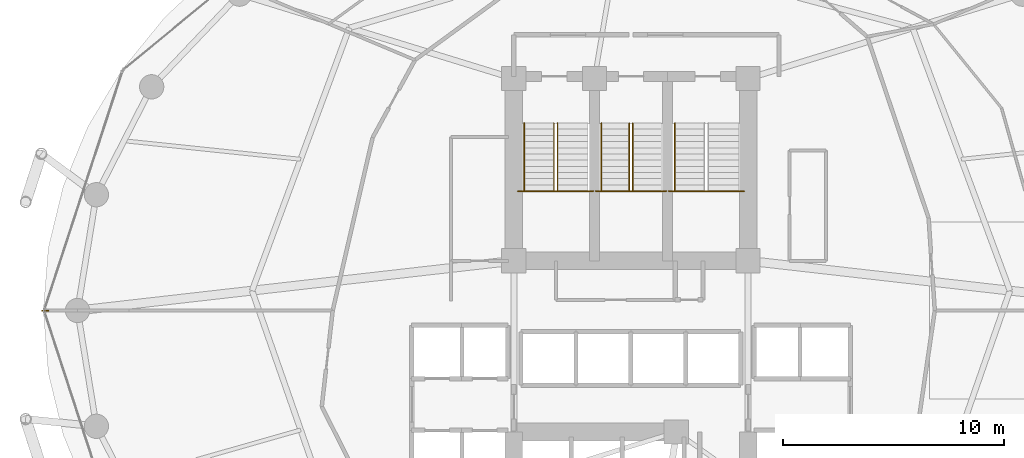
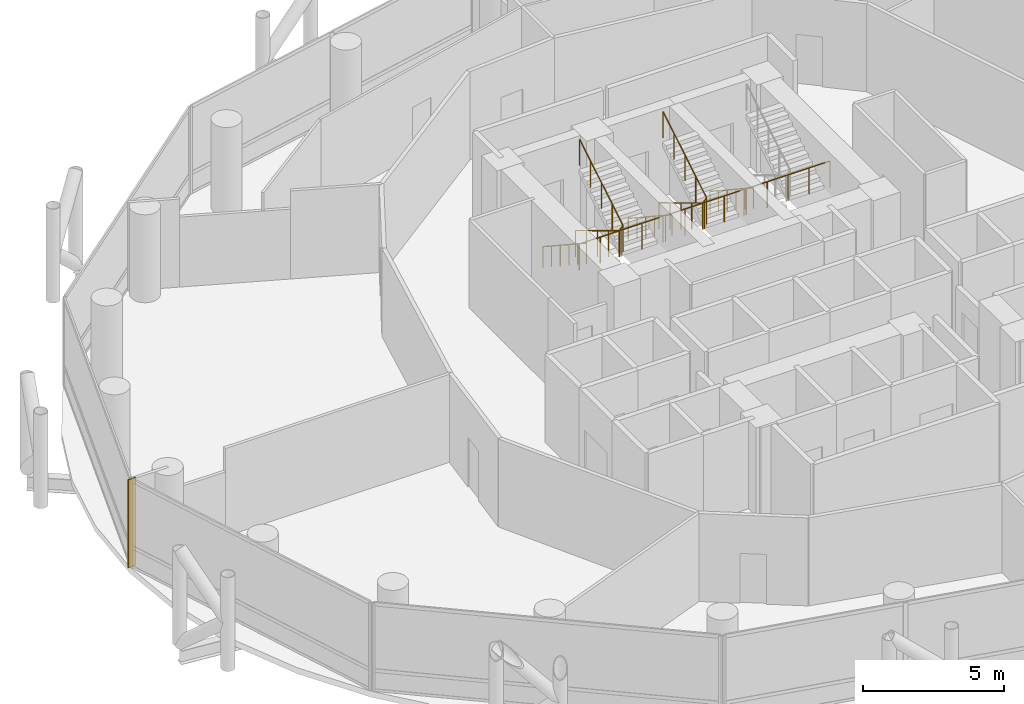
# One storey, part 25 of 26: 8 railings, 1 shading device.
"""IFC4 building model written with IfcOpenShell, lengths in metres."""

from ifc_helpers import new_model, si_unit, direction, frame, origin, origin_2d, place, context, subcontext, project, spatial, polyline, rectangle, outline, extrude, material, layer, layer_set, type_object, element, save


model = new_model("IFC4")

# Units and contexts
model_context = context("Model", 3, precision=1e-05, world=origin(), true_north=direction((0.0, 1.0)))
body_context = subcontext(model_context, "Body", "Model", "MODEL_VIEW")
ifc_project = project(units=[si_unit("LENGTHUNIT", "METRE"), si_unit("AREAUNIT", "SQUARE_METRE"), si_unit("VOLUMEUNIT", "CUBIC_METRE"), si_unit("PLANEANGLEUNIT", "RADIAN"), si_unit("MASSUNIT", "GRAM", prefix="KILO")], contexts=[model_context])

# Site, building, storey
site_placement = place(None, origin())
site = spatial("IfcSite", under=ifc_project, at=site_placement, CompositionType="ELEMENT")
building_placement = place(site_placement, origin())
building = spatial("IfcBuilding", under=site, at=building_placement, Name="Nuhasar Tower", CompositionType="ELEMENT")
storey_placement = place(building_placement, frame((0.0, 0.0, 53.39990234375)))
storey = spatial("IfcBuildingStorey", under=building, at=storey_placement, Name="L12", CompositionType="ELEMENT", Elevation=53.39990234375)

# Railings
ifc_material_1 = material(Name="Steel S355", Category="steel")
railing_type_1 = type_object("IfcRailingType", Name="RLG-STAIR-GUARD-1150", PredefinedType="GUARDRAIL", material=ifc_material_1)
railing_1_placement = place(storey_placement, frame((33.8798828125, 32.205078125, 2.025146484375)))
element("IfcRailing", 1, at=railing_1_placement, inside=storey, type_object=railing_type_1, Name="L12 Stair ST-01 Guardrail LND", PredefinedType="GUARDRAIL", context=body_context, shape_type="SweptSolid", body=[
    extrude(outline(polyline([(0.024169921875, 0.0), (0.01708984375, 0.01708984375), (0.0, 0.024169921875), (-0.01708984375, 0.01708984375), (-0.024169921875, 0.0), (-0.01708984375, -0.01708984375), (0.0, -0.024169921875), (0.01708984375, -0.01708984375), (0.024169921875, 0.0)])), frame((0.0, 0.0, 1.1259765625), z_axis=(1.0, 0.0, 0.0), x_axis=(0.0, 1.0, 0.0)), (0.0, 0.0, 1.0), 3.420166015625),
    extrude(outline(polyline([(0.02099609375, 0.0), (0.014892578125, 0.014892578125), (0.0, 0.02099609375), (-0.014892578125, 0.014892578125), (-0.02099609375, 0.0), (-0.014892578125, -0.014892578125), (0.0, -0.02099609375), (0.014892578125, -0.014892578125), (0.02099609375, 0.0)])), origin(), (0.0, 0.0, 1.0), 1.101806640625),
    extrude(outline(polyline([(0.02099609375, 0.0), (0.014892578125, 0.014892578125), (0.0, 0.02099609375), (-0.014892578125, 0.014892578125), (-0.02099609375, 0.0), (-0.014892578125, -0.014892578125), (0.0, -0.02099609375), (0.014892578125, -0.014892578125), (0.02099609375, 0.0)])), frame((0.85498046875, 0.0, 0.0)), (0.0, 0.0, 1.0), 1.101806640625),
    extrude(outline(polyline([(0.02099609375, 0.0), (0.014892578125, 0.014892578125), (0.0, 0.02099609375), (-0.014892578125, 0.014892578125), (-0.02099609375, 0.0), (-0.014892578125, -0.014892578125), (0.0, -0.02099609375), (0.014892578125, -0.014892578125), (0.02099609375, 0.0)])), frame((1.7099609375, 0.0, 0.0)), (0.0, 0.0, 1.0), 1.101806640625),
    extrude(outline(polyline([(0.02099609375, 0.0), (0.014892578125, 0.014892578125), (0.0, 0.02099609375), (-0.014892578125, 0.014892578125), (-0.02099609375, 0.0), (-0.014892578125, -0.014892578125), (0.0, -0.02099609375), (0.014892578125, -0.014892578125), (0.02099609375, 0.0)])), frame((2.565185546875, 0.0, 0.0)), (0.0, 0.0, 1.0), 1.101806640625),
    extrude(outline(polyline([(0.02099609375, 0.0), (0.014892578125, 0.014892578125), (0.0, 0.02099609375), (-0.014892578125, 0.014892578125), (-0.02099609375, 0.0), (-0.014892578125, -0.014892578125), (0.0, -0.02099609375), (0.014892578125, -0.014892578125), (0.02099609375, 0.0)])), frame((3.420166015625, 0.0, 0.0)), (0.0, 0.0, 1.0), 1.101806640625),
])
railing_2_placement = place(storey_placement, frame((35.510009765625, 35.284912109375, 0.169189453125)))
element("IfcRailing", 2, at=railing_2_placement, inside=storey, type_object=railing_type_1, Name="L12 Stair ST-01 Guardrail SLT", PredefinedType="GUARDRAIL", context=body_context, shape_type="SweptSolid", body=[
    extrude(outline(polyline([(0.024169921875, 0.0), (0.01708984375, 0.01708984375), (0.0, 0.024169921875), (-0.01708984375, 0.01708984375), (-0.024169921875, 0.0), (-0.01708984375, -0.01708984375), (0.0, -0.024169921875), (0.01708984375, -0.01708984375), (0.024169921875, 0.0)])), frame((0.0, 0.0, 1.1259765625), z_axis=(0.0, -0.856502863198, 0.516142272377), x_axis=(1.0, 0.0, 0.0)), (0.0, 0.0, 1.0), 3.595703125),
    extrude(outline(polyline([(0.024169921875, 0.0), (0.01708984375, 0.01708984375), (0.0, 0.024169921875), (-0.01708984375, 0.01708984375), (-0.024169921875, 0.0), (-0.01708984375, -0.01708984375), (0.0, -0.024169921875), (0.01708984375, -0.01708984375), (0.024169921875, 0.0)])), frame((0.0, -3.079833984375, 2.98193359375), z_axis=(0.687424367727, 0.0, 0.726255973232), x_axis=(0.0, 1.0, 0.0)), (0.0, 0.0, 1.0), 0.232666015625),
    extrude(outline(polyline([(0.024169921875, 0.0), (0.01708984375, 0.01708984375), (0.0, 0.024169921875), (-0.01708984375, 0.01708984375), (-0.024169921875, 0.0), (-0.01708984375, -0.01708984375), (0.0, -0.024169921875), (0.01708984375, -0.01708984375), (0.024169921875, 0.0)])), frame((0.159912109375, -3.079833984375, 3.15087890625), z_axis=(0.0, 0.856502863198, 0.516142272377), x_axis=(-1.0, 0.0, 0.0)), (0.0, 0.0, 1.0), 3.595703125),
    extrude(outline(polyline([(0.02099609375, 0.0), (0.014892578125, 0.014892578125), (0.0, 0.02099609375), (-0.014892578125, 0.014892578125), (-0.02099609375, 0.0), (-0.014892578125, -0.014892578125), (0.0, -0.02099609375), (0.014892578125, -0.014892578125), (0.02099609375, 0.0)])), origin(), (0.0, 0.0, 1.0), 1.101806640625),
    extrude(outline(polyline([(0.02099609375, 0.0), (0.014892578125, 0.014892578125), (0.0, 0.02099609375), (-0.014892578125, 0.014892578125), (-0.02099609375, 0.0), (-0.014892578125, -0.014892578125), (0.0, -0.02099609375), (0.014892578125, -0.014892578125), (0.02099609375, 0.0)])), frame((0.0, -0.77001953125, 0.4638671875)), (0.0, 0.0, 1.0), 1.101806640625),
    extrude(outline(polyline([(0.02099609375, 0.0), (0.014892578125, 0.014892578125), (0.0, 0.02099609375), (-0.014892578125, 0.014892578125), (-0.02099609375, 0.0), (-0.014892578125, -0.014892578125), (0.0, -0.02099609375), (0.014892578125, -0.014892578125), (0.02099609375, 0.0)])), frame((0.0, -1.5400390625, 0.927978515625)), (0.0, 0.0, 1.0), 1.101806640625),
    extrude(outline(polyline([(0.02099609375, 0.0), (0.014892578125, 0.014892578125), (0.0, 0.02099609375), (-0.014892578125, 0.014892578125), (-0.02099609375, 0.0), (-0.014892578125, -0.014892578125), (0.0, -0.02099609375), (0.014892578125, -0.014892578125), (0.02099609375, 0.0)])), frame((0.0, -2.309814453125, 1.39208984375)), (0.0, 0.0, 1.0), 1.101806640625),
    extrude(outline(polyline([(0.02099609375, 0.0), (0.014892578125, 0.014892578125), (0.0, 0.02099609375), (-0.014892578125, 0.014892578125), (-0.02099609375, 0.0), (-0.014892578125, -0.014892578125), (0.0, -0.02099609375), (0.014892578125, -0.014892578125), (0.02099609375, 0.0)])), frame((0.0, -3.079833984375, 1.85595703125)), (0.0, 0.0, 1.0), 1.101806640625),
    extrude(outline(polyline([(0.02099609375, 0.0), (0.014892578125, 0.014892578125), (0.0, 0.02099609375), (-0.014892578125, 0.014892578125), (-0.02099609375, 0.0), (-0.014892578125, -0.014892578125), (0.0, -0.02099609375), (0.014892578125, -0.014892578125), (0.02099609375, 0.0)])), frame((0.159912109375, -3.079833984375, 2.02490234375)), (0.0, 0.0, 1.0), 1.101806640625),
    extrude(outline(polyline([(0.02099609375, 0.0), (0.014892578125, 0.014892578125), (0.0, 0.02099609375), (-0.014892578125, 0.014892578125), (-0.02099609375, 0.0), (-0.014892578125, -0.014892578125), (0.0, -0.02099609375), (0.014892578125, -0.014892578125), (0.02099609375, 0.0)])), frame((0.159912109375, -2.309814453125, 2.48876953125)), (0.0, 0.0, 1.0), 1.101806640625),
    extrude(outline(polyline([(0.02099609375, 0.0), (0.014892578125, 0.014892578125), (0.0, 0.02099609375), (-0.014892578125, 0.014892578125), (-0.02099609375, 0.0), (-0.014892578125, -0.014892578125), (0.0, -0.02099609375), (0.014892578125, -0.014892578125), (0.02099609375, 0.0)])), frame((0.159912109375, -1.5400390625, 2.952880859375)), (0.0, 0.0, 1.0), 1.101806640625),
    extrude(outline(polyline([(0.02099609375, 0.0), (0.014892578125, 0.014892578125), (0.0, 0.02099609375), (-0.014892578125, 0.014892578125), (-0.02099609375, 0.0), (-0.014892578125, -0.014892578125), (0.0, -0.02099609375), (0.014892578125, -0.014892578125), (0.02099609375, 0.0)])), frame((0.159912109375, -0.77001953125, 3.4169921875)), (0.0, 0.0, 1.0), 1.101806640625),
    extrude(outline(polyline([(0.02099609375, 0.0), (0.014892578125, 0.014892578125), (0.0, 0.02099609375), (-0.014892578125, 0.014892578125), (-0.02099609375, 0.0), (-0.014892578125, -0.014892578125), (0.0, -0.02099609375), (0.014892578125, -0.014892578125), (0.02099609375, 0.0)])), frame((0.159912109375, 0.0, 3.880859375)), (0.0, 0.0, 1.0), 1.101806640625),
])
railing_3_placement = place(storey_placement, frame((37.39990234375, 32.205078125, 2.025146484375)))
element("IfcRailing", 3, at=railing_3_placement, inside=storey, type_object=railing_type_1, Name="L12 Stair ST-03 Guardrail LND", PredefinedType="GUARDRAIL", context=body_context, shape_type="SweptSolid", body=[
    extrude(outline(polyline([(0.024169921875, 0.0), (0.01708984375, 0.01708984375), (0.0, 0.024169921875), (-0.01708984375, 0.01708984375), (-0.024169921875, 0.0), (-0.01708984375, -0.01708984375), (0.0, -0.024169921875), (0.01708984375, -0.01708984375), (0.024169921875, 0.0)])), frame((0.0, 0.0, 1.1259765625), z_axis=(1.0, 0.0, 0.0), x_axis=(0.0, 1.0, 0.0)), (0.0, 0.0, 1.0), 3.2001953125),
    extrude(outline(polyline([(0.02099609375, 0.0), (0.014892578125, 0.014892578125), (0.0, 0.02099609375), (-0.014892578125, 0.014892578125), (-0.02099609375, 0.0), (-0.014892578125, -0.014892578125), (0.0, -0.02099609375), (0.014892578125, -0.014892578125), (0.02099609375, 0.0)])), origin(), (0.0, 0.0, 1.0), 1.101806640625),
    extrude(outline(polyline([(0.02099609375, 0.0), (0.014892578125, 0.014892578125), (0.0, 0.02099609375), (-0.014892578125, 0.014892578125), (-0.02099609375, 0.0), (-0.014892578125, -0.014892578125), (0.0, -0.02099609375), (0.014892578125, -0.014892578125), (0.02099609375, 0.0)])), frame((0.800048828125, 0.0, 0.0)), (0.0, 0.0, 1.0), 1.101806640625),
    extrude(outline(polyline([(0.02099609375, 0.0), (0.014892578125, 0.014892578125), (0.0, 0.02099609375), (-0.014892578125, 0.014892578125), (-0.02099609375, 0.0), (-0.014892578125, -0.014892578125), (0.0, -0.02099609375), (0.014892578125, -0.014892578125), (0.02099609375, 0.0)])), frame((1.60009765625, 0.0, 0.0)), (0.0, 0.0, 1.0), 1.101806640625),
    extrude(outline(polyline([(0.02099609375, 0.0), (0.014892578125, 0.014892578125), (0.0, 0.02099609375), (-0.014892578125, 0.014892578125), (-0.02099609375, 0.0), (-0.014892578125, -0.014892578125), (0.0, -0.02099609375), (0.014892578125, -0.014892578125), (0.02099609375, 0.0)])), frame((2.400146484375, 0.0, 0.0)), (0.0, 0.0, 1.0), 1.101806640625),
    extrude(outline(polyline([(0.02099609375, 0.0), (0.014892578125, 0.014892578125), (0.0, 0.02099609375), (-0.014892578125, 0.014892578125), (-0.02099609375, 0.0), (-0.014892578125, -0.014892578125), (0.0, -0.02099609375), (0.014892578125, -0.014892578125), (0.02099609375, 0.0)])), frame((3.2001953125, 0.0, 0.0)), (0.0, 0.0, 1.0), 1.101806640625),
])
railing_4_placement = place(storey_placement, frame((38.919921875, 35.284912109375, 0.169189453125)))
element("IfcRailing", 4, at=railing_4_placement, inside=storey, type_object=railing_type_1, Name="L12 Stair ST-03 Guardrail SLT", PredefinedType="GUARDRAIL", context=body_context, shape_type="SweptSolid", body=[
    extrude(outline(polyline([(0.024169921875, 0.0), (0.01708984375, 0.01708984375), (0.0, 0.024169921875), (-0.01708984375, 0.01708984375), (-0.024169921875, 0.0), (-0.01708984375, -0.01708984375), (0.0, -0.024169921875), (0.01708984375, -0.01708984375), (0.024169921875, 0.0)])), frame((0.0, 0.0, 1.1259765625), z_axis=(0.0, -0.856502863198, 0.516142272377), x_axis=(1.0, 0.0, 0.0)), (0.0, 0.0, 1.0), 3.595703125),
    extrude(outline(polyline([(0.024169921875, 0.0), (0.01708984375, 0.01708984375), (0.0, 0.024169921875), (-0.01708984375, 0.01708984375), (-0.024169921875, 0.0), (-0.01708984375, -0.01708984375), (0.0, -0.024169921875), (0.01708984375, -0.01708984375), (0.024169921875, 0.0)])), frame((0.0, -3.079833984375, 2.98193359375), z_axis=(0.687977326998, 0.0, 0.725732180309), x_axis=(0.0, 1.0, 0.0)), (0.0, 0.0, 1.0), 0.23291015625),
    extrude(outline(polyline([(0.024169921875, 0.0), (0.01708984375, 0.01708984375), (0.0, 0.024169921875), (-0.01708984375, 0.01708984375), (-0.024169921875, 0.0), (-0.01708984375, -0.01708984375), (0.0, -0.024169921875), (0.01708984375, -0.01708984375), (0.024169921875, 0.0)])), frame((0.16015625, -3.079833984375, 3.15087890625), z_axis=(0.0, 0.856502863198, 0.516142272377), x_axis=(-1.0, 0.0, 0.0)), (0.0, 0.0, 1.0), 3.595703125),
    extrude(outline(polyline([(0.02099609375, 0.0), (0.014892578125, 0.014892578125), (0.0, 0.02099609375), (-0.014892578125, 0.014892578125), (-0.02099609375, 0.0), (-0.014892578125, -0.014892578125), (0.0, -0.02099609375), (0.014892578125, -0.014892578125), (0.02099609375, 0.0)])), origin(), (0.0, 0.0, 1.0), 1.101806640625),
    extrude(outline(polyline([(0.02099609375, 0.0), (0.014892578125, 0.014892578125), (0.0, 0.02099609375), (-0.014892578125, 0.014892578125), (-0.02099609375, 0.0), (-0.014892578125, -0.014892578125), (0.0, -0.02099609375), (0.014892578125, -0.014892578125), (0.02099609375, 0.0)])), frame((0.0, -0.77001953125, 0.4638671875)), (0.0, 0.0, 1.0), 1.101806640625),
    extrude(outline(polyline([(0.02099609375, 0.0), (0.014892578125, 0.014892578125), (0.0, 0.02099609375), (-0.014892578125, 0.014892578125), (-0.02099609375, 0.0), (-0.014892578125, -0.014892578125), (0.0, -0.02099609375), (0.014892578125, -0.014892578125), (0.02099609375, 0.0)])), frame((0.0, -1.5400390625, 0.927978515625)), (0.0, 0.0, 1.0), 1.101806640625),
    extrude(outline(polyline([(0.02099609375, 0.0), (0.014892578125, 0.014892578125), (0.0, 0.02099609375), (-0.014892578125, 0.014892578125), (-0.02099609375, 0.0), (-0.014892578125, -0.014892578125), (0.0, -0.02099609375), (0.014892578125, -0.014892578125), (0.02099609375, 0.0)])), frame((0.0, -2.309814453125, 1.39208984375)), (0.0, 0.0, 1.0), 1.101806640625),
    extrude(outline(polyline([(0.02099609375, 0.0), (0.014892578125, 0.014892578125), (0.0, 0.02099609375), (-0.014892578125, 0.014892578125), (-0.02099609375, 0.0), (-0.014892578125, -0.014892578125), (0.0, -0.02099609375), (0.014892578125, -0.014892578125), (0.02099609375, 0.0)])), frame((0.0, -3.079833984375, 1.85595703125)), (0.0, 0.0, 1.0), 1.101806640625),
    extrude(outline(polyline([(0.02099609375, 0.0), (0.014892578125, 0.014892578125), (0.0, 0.02099609375), (-0.014892578125, 0.014892578125), (-0.02099609375, 0.0), (-0.014892578125, -0.014892578125), (0.0, -0.02099609375), (0.014892578125, -0.014892578125), (0.02099609375, 0.0)])), frame((0.16015625, -3.079833984375, 2.02490234375)), (0.0, 0.0, 1.0), 1.101806640625),
    extrude(outline(polyline([(0.02099609375, 0.0), (0.014892578125, 0.014892578125), (0.0, 0.02099609375), (-0.014892578125, 0.014892578125), (-0.02099609375, 0.0), (-0.014892578125, -0.014892578125), (0.0, -0.02099609375), (0.014892578125, -0.014892578125), (0.02099609375, 0.0)])), frame((0.16015625, -2.309814453125, 2.48876953125)), (0.0, 0.0, 1.0), 1.101806640625),
    extrude(outline(polyline([(0.02099609375, 0.0), (0.014892578125, 0.014892578125), (0.0, 0.02099609375), (-0.014892578125, 0.014892578125), (-0.02099609375, 0.0), (-0.014892578125, -0.014892578125), (0.0, -0.02099609375), (0.014892578125, -0.014892578125), (0.02099609375, 0.0)])), frame((0.16015625, -1.5400390625, 2.952880859375)), (0.0, 0.0, 1.0), 1.101806640625),
    extrude(outline(polyline([(0.02099609375, 0.0), (0.014892578125, 0.014892578125), (0.0, 0.02099609375), (-0.014892578125, 0.014892578125), (-0.02099609375, 0.0), (-0.014892578125, -0.014892578125), (0.0, -0.02099609375), (0.014892578125, -0.014892578125), (0.02099609375, 0.0)])), frame((0.16015625, -0.77001953125, 3.4169921875)), (0.0, 0.0, 1.0), 1.101806640625),
    extrude(outline(polyline([(0.02099609375, 0.0), (0.014892578125, 0.014892578125), (0.0, 0.02099609375), (-0.014892578125, 0.014892578125), (-0.02099609375, 0.0), (-0.014892578125, -0.014892578125), (0.0, -0.02099609375), (0.014892578125, -0.014892578125), (0.02099609375, 0.0)])), frame((0.16015625, 0.0, 3.880859375)), (0.0, 0.0, 1.0), 1.101806640625),
])
railing_5_placement = place(storey_placement, frame((40.699951171875, 32.205078125, 2.025146484375)))
element("IfcRailing", 5, at=railing_5_placement, inside=storey, type_object=railing_type_1, Name="L12 Stair ST-02 Guardrail LND", PredefinedType="GUARDRAIL", context=body_context, shape_type="SweptSolid", body=[
    extrude(outline(polyline([(0.024169921875, 0.0), (0.01708984375, 0.01708984375), (0.0, 0.024169921875), (-0.01708984375, 0.01708984375), (-0.024169921875, 0.0), (-0.01708984375, -0.01708984375), (0.0, -0.024169921875), (0.01708984375, -0.01708984375), (0.024169921875, 0.0)])), frame((0.0, 0.0, 1.1259765625), z_axis=(1.0, 0.0, 0.0), x_axis=(0.0, 1.0, 0.0)), (0.0, 0.0, 1.0), 3.420166015625),
    extrude(outline(polyline([(0.02099609375, 0.0), (0.014892578125, 0.014892578125), (0.0, 0.02099609375), (-0.014892578125, 0.014892578125), (-0.02099609375, 0.0), (-0.014892578125, -0.014892578125), (0.0, -0.02099609375), (0.014892578125, -0.014892578125), (0.02099609375, 0.0)])), origin(), (0.0, 0.0, 1.0), 1.101806640625),
    extrude(outline(polyline([(0.02099609375, 0.0), (0.014892578125, 0.014892578125), (0.0, 0.02099609375), (-0.014892578125, 0.014892578125), (-0.02099609375, 0.0), (-0.014892578125, -0.014892578125), (0.0, -0.02099609375), (0.014892578125, -0.014892578125), (0.02099609375, 0.0)])), frame((0.85498046875, 0.0, 0.0)), (0.0, 0.0, 1.0), 1.101806640625),
    extrude(outline(polyline([(0.02099609375, 0.0), (0.014892578125, 0.014892578125), (0.0, 0.02099609375), (-0.014892578125, 0.014892578125), (-0.02099609375, 0.0), (-0.014892578125, -0.014892578125), (0.0, -0.02099609375), (0.014892578125, -0.014892578125), (0.02099609375, 0.0)])), frame((1.7099609375, 0.0, 0.0)), (0.0, 0.0, 1.0), 1.101806640625),
    extrude(outline(polyline([(0.02099609375, 0.0), (0.014892578125, 0.014892578125), (0.0, 0.02099609375), (-0.014892578125, 0.014892578125), (-0.02099609375, 0.0), (-0.014892578125, -0.014892578125), (0.0, -0.02099609375), (0.014892578125, -0.014892578125), (0.02099609375, 0.0)])), frame((2.565185546875, 0.0, 0.0)), (0.0, 0.0, 1.0), 1.101806640625),
    extrude(outline(polyline([(0.02099609375, 0.0), (0.014892578125, 0.014892578125), (0.0, 0.02099609375), (-0.014892578125, 0.014892578125), (-0.02099609375, 0.0), (-0.014892578125, -0.014892578125), (0.0, -0.02099609375), (0.014892578125, -0.014892578125), (0.02099609375, 0.0)])), frame((3.420166015625, 0.0, 0.0)), (0.0, 0.0, 1.0), 1.101806640625),
])
ifc_material_2 = material(Name="Stainless Steel 316L", Category="steel")
railing_type_2 = type_object("IfcRailingType", Name="RLG-STAIR-HAND-920", PredefinedType="HANDRAIL", material=ifc_material_2)
railing_6_placement = place(storey_placement, frame((34.169921875, 35.284912109375, 0.169189453125)))
element("IfcRailing", 6, at=railing_6_placement, inside=storey, type_object=railing_type_2, Name="L12 Stair ST-01 Handrail HND1", PredefinedType="HANDRAIL", context=body_context, shape_type="SweptSolid", body=[
    extrude(outline(polyline([(0.024169921875, 0.0), (0.01708984375, 0.01708984375), (0.0, 0.024169921875), (-0.01708984375, 0.01708984375), (-0.024169921875, 0.0), (-0.01708984375, -0.01708984375), (0.0, -0.024169921875), (0.01708984375, -0.01708984375), (0.024169921875, 0.0)])), frame((0.0, 0.0, 0.89599609375), z_axis=(0.0, -0.83557951683, 0.54936952141), x_axis=(1.0, 0.0, 0.0)), (0.0, 0.0, 1.0), 3.685791015625),
    extrude(outline(polyline([(0.02099609375, 0.0), (0.014892578125, 0.014892578125), (0.0, 0.02099609375), (-0.014892578125, 0.014892578125), (-0.02099609375, 0.0), (-0.014892578125, -0.014892578125), (0.0, -0.02099609375), (0.014892578125, -0.014892578125), (0.02099609375, 0.0)])), origin(), (0.0, 0.0, 1.0), 0.871826171875),
    extrude(outline(polyline([(0.02099609375, 0.0), (0.014892578125, 0.014892578125), (0.0, 0.02099609375), (-0.014892578125, 0.014892578125), (-0.02099609375, 0.0), (-0.014892578125, -0.014892578125), (0.0, -0.02099609375), (0.014892578125, -0.014892578125), (0.02099609375, 0.0)])), frame((0.0, -0.615966796875, 0.405029296875)), (0.0, 0.0, 1.0), 0.871826171875),
    extrude(outline(polyline([(0.02099609375, 0.0), (0.014892578125, 0.014892578125), (0.0, 0.02099609375), (-0.014892578125, 0.014892578125), (-0.02099609375, 0.0), (-0.014892578125, -0.014892578125), (0.0, -0.02099609375), (0.014892578125, -0.014892578125), (0.02099609375, 0.0)])), frame((0.0, -1.23193359375, 0.81005859375)), (0.0, 0.0, 1.0), 0.871826171875),
    extrude(outline(polyline([(0.02099609375, 0.0), (0.014892578125, 0.014892578125), (0.0, 0.02099609375), (-0.014892578125, 0.014892578125), (-0.02099609375, 0.0), (-0.014892578125, -0.014892578125), (0.0, -0.02099609375), (0.014892578125, -0.014892578125), (0.02099609375, 0.0)])), frame((0.0, -1.847900390625, 1.21484375)), (0.0, 0.0, 1.0), 0.871826171875),
    extrude(outline(polyline([(0.02099609375, 0.0), (0.014892578125, 0.014892578125), (0.0, 0.02099609375), (-0.014892578125, 0.014892578125), (-0.02099609375, 0.0), (-0.014892578125, -0.014892578125), (0.0, -0.02099609375), (0.014892578125, -0.014892578125), (0.02099609375, 0.0)])), frame((0.0, -2.4638671875, 1.619873046875)), (0.0, 0.0, 1.0), 0.871826171875),
    extrude(outline(polyline([(0.02099609375, 0.0), (0.014892578125, 0.014892578125), (0.0, 0.02099609375), (-0.014892578125, 0.014892578125), (-0.02099609375, 0.0), (-0.014892578125, -0.014892578125), (0.0, -0.02099609375), (0.014892578125, -0.014892578125), (0.02099609375, 0.0)])), frame((0.0, -3.079833984375, 2.02490234375)), (0.0, 0.0, 1.0), 0.871826171875),
])
railing_7_placement = place(storey_placement, frame((37.659912109375, 35.284912109375, 0.169189453125)))
element("IfcRailing", 7, at=railing_7_placement, inside=storey, type_object=railing_type_2, Name="L12 Stair ST-03 Handrail HND1", PredefinedType="HANDRAIL", context=body_context, shape_type="SweptSolid", body=[
    extrude(outline(polyline([(0.024169921875, 0.0), (0.01708984375, 0.01708984375), (0.0, 0.024169921875), (-0.01708984375, 0.01708984375), (-0.024169921875, 0.0), (-0.01708984375, -0.01708984375), (0.0, -0.024169921875), (0.01708984375, -0.01708984375), (0.024169921875, 0.0)])), frame((0.0, 0.0, 0.89599609375), z_axis=(0.0, -0.83557951683, 0.54936952141), x_axis=(1.0, 0.0, 0.0)), (0.0, 0.0, 1.0), 3.685791015625),
    extrude(outline(polyline([(0.02099609375, 0.0), (0.014892578125, 0.014892578125), (0.0, 0.02099609375), (-0.014892578125, 0.014892578125), (-0.02099609375, 0.0), (-0.014892578125, -0.014892578125), (0.0, -0.02099609375), (0.014892578125, -0.014892578125), (0.02099609375, 0.0)])), origin(), (0.0, 0.0, 1.0), 0.871826171875),
    extrude(outline(polyline([(0.02099609375, 0.0), (0.014892578125, 0.014892578125), (0.0, 0.02099609375), (-0.014892578125, 0.014892578125), (-0.02099609375, 0.0), (-0.014892578125, -0.014892578125), (0.0, -0.02099609375), (0.014892578125, -0.014892578125), (0.02099609375, 0.0)])), frame((0.0, -0.615966796875, 0.405029296875)), (0.0, 0.0, 1.0), 0.871826171875),
    extrude(outline(polyline([(0.02099609375, 0.0), (0.014892578125, 0.014892578125), (0.0, 0.02099609375), (-0.014892578125, 0.014892578125), (-0.02099609375, 0.0), (-0.014892578125, -0.014892578125), (0.0, -0.02099609375), (0.014892578125, -0.014892578125), (0.02099609375, 0.0)])), frame((0.0, -1.23193359375, 0.81005859375)), (0.0, 0.0, 1.0), 0.871826171875),
    extrude(outline(polyline([(0.02099609375, 0.0), (0.014892578125, 0.014892578125), (0.0, 0.02099609375), (-0.014892578125, 0.014892578125), (-0.02099609375, 0.0), (-0.014892578125, -0.014892578125), (0.0, -0.02099609375), (0.014892578125, -0.014892578125), (0.02099609375, 0.0)])), frame((0.0, -1.847900390625, 1.21484375)), (0.0, 0.0, 1.0), 0.871826171875),
    extrude(outline(polyline([(0.02099609375, 0.0), (0.014892578125, 0.014892578125), (0.0, 0.02099609375), (-0.014892578125, 0.014892578125), (-0.02099609375, 0.0), (-0.014892578125, -0.014892578125), (0.0, -0.02099609375), (0.014892578125, -0.014892578125), (0.02099609375, 0.0)])), frame((0.0, -2.4638671875, 1.619873046875)), (0.0, 0.0, 1.0), 0.871826171875),
    extrude(outline(polyline([(0.02099609375, 0.0), (0.014892578125, 0.014892578125), (0.0, 0.02099609375), (-0.014892578125, 0.014892578125), (-0.02099609375, 0.0), (-0.014892578125, -0.014892578125), (0.0, -0.02099609375), (0.014892578125, -0.014892578125), (0.02099609375, 0.0)])), frame((0.0, -3.079833984375, 2.02490234375)), (0.0, 0.0, 1.0), 0.871826171875),
])
railing_8_placement = place(storey_placement, frame((40.989990234375, 35.284912109375, 0.169189453125)))
element("IfcRailing", 8, at=railing_8_placement, inside=storey, type_object=railing_type_2, Name="L12 Stair ST-02 Handrail HND1", PredefinedType="HANDRAIL", context=body_context, shape_type="SweptSolid", body=[
    extrude(outline(polyline([(0.024169921875, 0.0), (0.01708984375, 0.01708984375), (0.0, 0.024169921875), (-0.01708984375, 0.01708984375), (-0.024169921875, 0.0), (-0.01708984375, -0.01708984375), (0.0, -0.024169921875), (0.01708984375, -0.01708984375), (0.024169921875, 0.0)])), frame((0.0, 0.0, 0.89599609375), z_axis=(0.0, -0.83557951683, 0.54936952141), x_axis=(1.0, 0.0, 0.0)), (0.0, 0.0, 1.0), 3.685791015625),
    extrude(outline(polyline([(0.02099609375, 0.0), (0.014892578125, 0.014892578125), (0.0, 0.02099609375), (-0.014892578125, 0.014892578125), (-0.02099609375, 0.0), (-0.014892578125, -0.014892578125), (0.0, -0.02099609375), (0.014892578125, -0.014892578125), (0.02099609375, 0.0)])), origin(), (0.0, 0.0, 1.0), 0.871826171875),
    extrude(outline(polyline([(0.02099609375, 0.0), (0.014892578125, 0.014892578125), (0.0, 0.02099609375), (-0.014892578125, 0.014892578125), (-0.02099609375, 0.0), (-0.014892578125, -0.014892578125), (0.0, -0.02099609375), (0.014892578125, -0.014892578125), (0.02099609375, 0.0)])), frame((0.0, -0.615966796875, 0.405029296875)), (0.0, 0.0, 1.0), 0.871826171875),
    extrude(outline(polyline([(0.02099609375, 0.0), (0.014892578125, 0.014892578125), (0.0, 0.02099609375), (-0.014892578125, 0.014892578125), (-0.02099609375, 0.0), (-0.014892578125, -0.014892578125), (0.0, -0.02099609375), (0.014892578125, -0.014892578125), (0.02099609375, 0.0)])), frame((0.0, -1.23193359375, 0.81005859375)), (0.0, 0.0, 1.0), 0.871826171875),
    extrude(outline(polyline([(0.02099609375, 0.0), (0.014892578125, 0.014892578125), (0.0, 0.02099609375), (-0.014892578125, 0.014892578125), (-0.02099609375, 0.0), (-0.014892578125, -0.014892578125), (0.0, -0.02099609375), (0.014892578125, -0.014892578125), (0.02099609375, 0.0)])), frame((0.0, -1.847900390625, 1.21484375)), (0.0, 0.0, 1.0), 0.871826171875),
    extrude(outline(polyline([(0.02099609375, 0.0), (0.014892578125, 0.014892578125), (0.0, 0.02099609375), (-0.014892578125, 0.014892578125), (-0.02099609375, 0.0), (-0.014892578125, -0.014892578125), (0.0, -0.02099609375), (0.014892578125, -0.014892578125), (0.02099609375, 0.0)])), frame((0.0, -2.4638671875, 1.619873046875)), (0.0, 0.0, 1.0), 0.871826171875),
    extrude(outline(polyline([(0.02099609375, 0.0), (0.014892578125, 0.014892578125), (0.0, 0.02099609375), (-0.014892578125, 0.014892578125), (-0.02099609375, 0.0), (-0.014892578125, -0.014892578125), (0.0, -0.02099609375), (0.014892578125, -0.014892578125), (0.02099609375, 0.0)])), frame((0.0, -3.079833984375, 2.02490234375)), (0.0, 0.0, 1.0), 0.871826171875),
])

# Shading device
ifc_material_3 = material(Name="Aluminium 6063-T6", Category="aluminium")
ifc_layer = layer(ifc_material_3, 0.044921875)
ifc_layer_set = layer_set([ifc_layer], Name="Aluminium 6063-T6")
shading_device_type = type_object("IfcShadingDeviceType", Name="SHD-FIN-320", PredefinedType="JALOUSIE", material=ifc_layer_set)
shading_device_placement = place(storey_placement, frame((12.489990234375, 26.800048828125, 0.0), z_axis=(0.0, 0.0, 1.0), x_axis=(-1.0, 0.0, 0.0)))
element("IfcShadingDevice", 9, at=shading_device_placement, inside=storey, type_object=shading_device_type, Name="L12 Solar Mashrabiya Fin 02", PredefinedType="JALOUSIE", context=body_context, shape_type="SweptSolid", body=[
    extrude(rectangle(XDim=0.320068359375, YDim=0.044921875, at=origin_2d()), origin(), (0.0, 0.0, 1.0), 3.800048828125),
])

save(model, "model.ifc")
